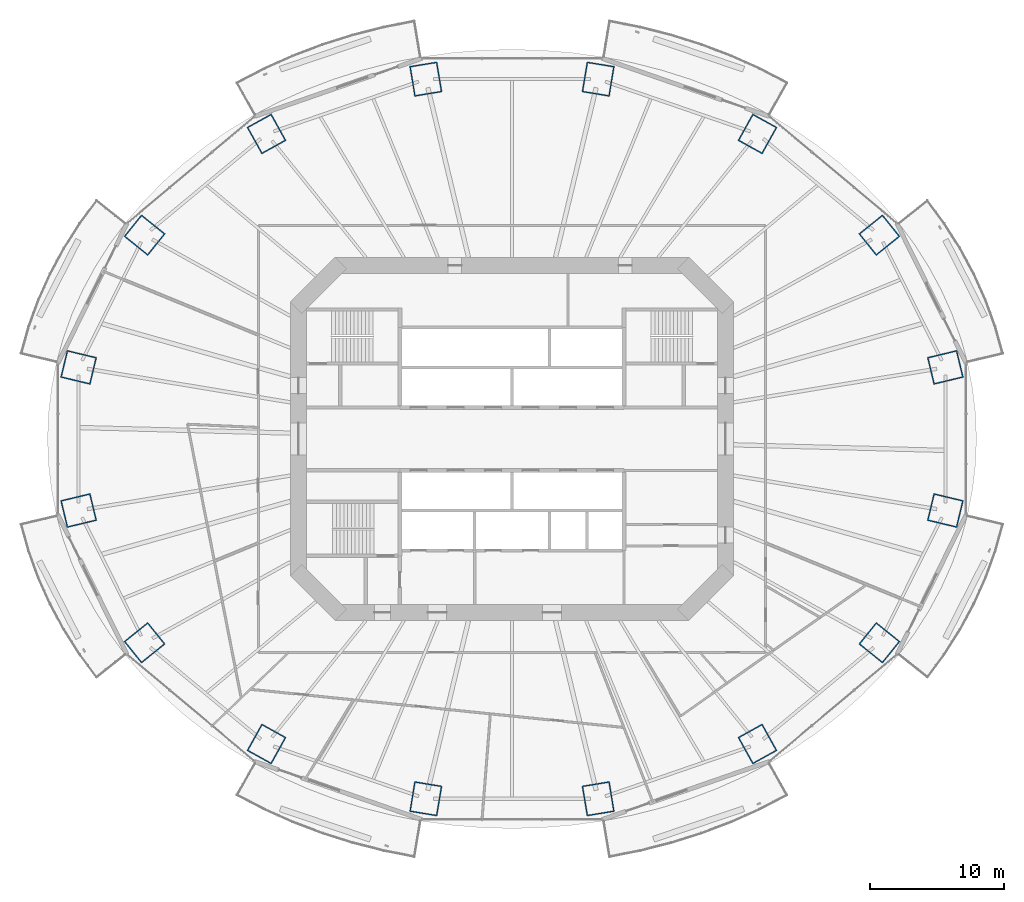
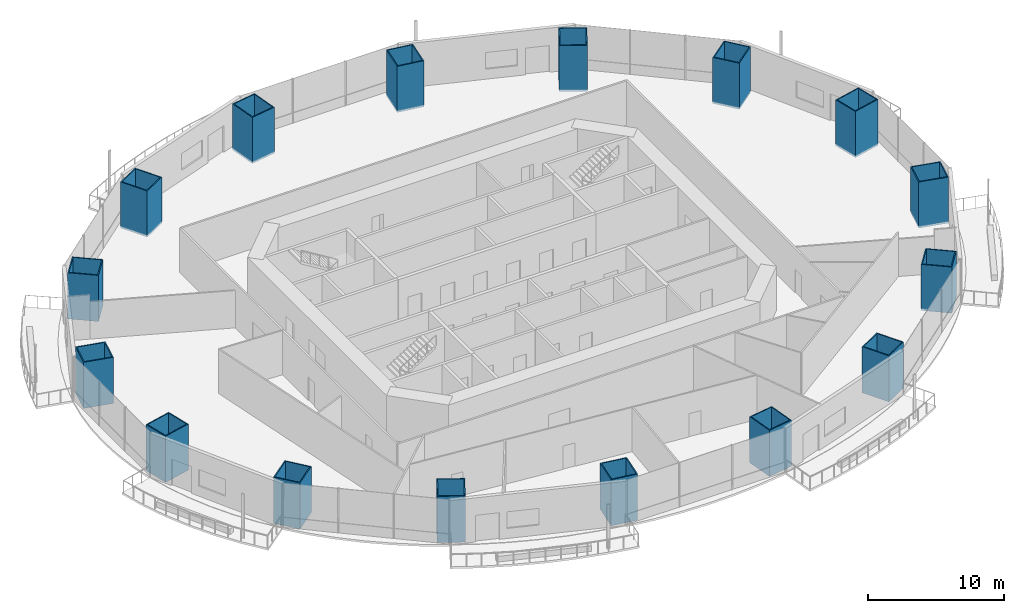
# One storey, part 1 of 22: 16 columns.
"""IFC4 building model written with IfcOpenShell, lengths in metres."""

from ifc_helpers import new_model, si_unit, direction, frame, origin, origin_2d, place, context, subcontext, project, spatial, rectangle, hollow_rectangle, extrude, material, material_profile, profile_set, type_object, element, save


model = new_model("IFC4")

# Units and contexts
model_context = context("Model", 3, precision=1e-05, world=origin(), true_north=direction((0.0, 1.0)))
body_context = subcontext(model_context, "Body", "Model", "MODEL_VIEW")
ifc_project = project(units=[si_unit("LENGTHUNIT", "METRE"), si_unit("AREAUNIT", "SQUARE_METRE"), si_unit("VOLUMEUNIT", "CUBIC_METRE"), si_unit("PLANEANGLEUNIT", "RADIAN"), si_unit("MASSUNIT", "GRAM", prefix="KILO")], contexts=[model_context])

# Site, building, storey
site_placement = place(None, origin())
site = spatial("IfcSite", under=ifc_project, at=site_placement, CompositionType="ELEMENT")
building_placement = place(site_placement, origin())
building = spatial("IfcBuilding", under=site, at=building_placement, Name="Marenthal Gate Tower", CompositionType="ELEMENT")
storey_placement = place(building_placement, frame((0.0, 0.0, 95.25)))
storey = spatial("IfcBuildingStorey", under=building, at=storey_placement, Name="L19", CompositionType="ELEMENT", Elevation=95.25)

# Columns
ifc_material_1 = material(Name="Steel S460", Category="steel")
ifc_material_profile_1 = material_profile(ifc_material_1, hollow_rectangle(XDim=2.10009765625, YDim=2.300048828125, WallThickness=0.0849609375, at=origin_2d()), Name="CFT BOX 2300X2100X85")
ifc_material_2 = material(Name="Concrete 70 MPa", Category="concrete")
ifc_material_profile_2 = material_profile(ifc_material_2, rectangle(XDim=1.929931640625, YDim=2.1298828125, at=origin_2d()), Name="CFT BOX 2300X2100X85 INFILL")
ifc_profile_set = profile_set([ifc_material_profile_1, ifc_material_profile_2], Name="Steel S460 shell, Concrete 70 MPa infill")
column_type = type_object("IfcColumnType", Name="CFT BOX 2300X2100X85", PredefinedType="COLUMN", material=ifc_profile_set)
for number, where, z_axis, x_axis, name in (
    (1, (32.4521484375, 5.359619140625, -0.179931640625), (0.0, 0.0, 1.0), (0.23297354102, -0.972483073984, 0.0), "COL-L19-01"),
    (2, (27.51171875, 15.26318359375, -0.179931640625), (0.0, 0.0, 1.0), (0.626945161765, -0.779063389038, 0.0), "COL-L19-02"),
    (3, (18.3828125, 22.843017578125, -0.179931640625), (0.0, 0.0, 1.0), (0.87444195639, -0.485130152541, 0.0), "COL-L19-03"),
    (4, (6.455078125, 26.945068359375, -0.179931640625), (0.0, 0.0, 1.0), (0.986634517147, -0.162948855698, 0.0), "COL-L19-04"),
    (5, (-6.455078125, 26.945068359375, -0.179931640625), (0.0, 0.0, 1.0), (0.986634517147, 0.162948855698, 0.0), "COL-L19-05"),
    (6, (-18.3828125, 22.843017578125, -0.179931640625), (0.0, 0.0, 1.0), (0.87444195639, 0.485130152541, 0.0), "COL-L19-06"),
    (7, (-27.51171875, 15.26318359375, -0.179931640625), (0.0, 0.0, 1.0), (0.626945161765, 0.779063389038, 0.0), "COL-L19-07"),
    (8, (-32.4521484375, 5.359619140625, -0.179931640625), (0.0, 0.0, 1.0), (0.23297354102, 0.972483073984, 0.0), "COL-L19-08"),
    (9, (-32.4521484375, -5.359619140625, -0.179931640625), (0.0, 0.0, 1.0), (-0.23297354102, 0.972483073984, 0.0), "COL-L19-09"),
    (10, (-27.51171875, -15.26318359375, -0.179931640625), (0.0, 0.0, 1.0), (-0.626945161765, 0.779063389038, 0.0), "COL-L19-10"),
    (11, (-18.3828125, -22.843017578125, -0.179931640625), (0.0, 0.0, 1.0), (-0.87444195639, 0.485130152541, 0.0), "COL-L19-11"),
    (12, (-6.455078125, -26.945068359375, -0.179931640625), (0.0, 0.0, 1.0), (-0.986634517147, 0.162948855698, 0.0), "COL-L19-12"),
    (13, (6.455078125, -26.945068359375, -0.179931640625), (0.0, 0.0, 1.0), (-0.986634517147, -0.162948855698, 0.0), "COL-L19-13"),
    (14, (18.3828125, -22.843017578125, -0.179931640625), (0.0, 0.0, 1.0), (-0.87444195639, -0.485130152541, 0.0), "COL-L19-14"),
    (15, (27.51171875, -15.26318359375, -0.179931640625), (0.0, 0.0, 1.0), (-0.626945161765, -0.779063389038, 0.0), "COL-L19-15"),
    (16, (32.4521484375, -5.359619140625, -0.179931640625), (0.0, 0.0, 1.0), (-0.23297354102, -0.972483073984, 0.0), "COL-L19-16"),
):
    element("IfcColumn", number, at=place(storey_placement, frame(where, z_axis=z_axis, x_axis=x_axis)), inside=storey, type_object=column_type, Name=name, PredefinedType="COLUMN", context=body_context, shape_type="SweptSolid", body=[
        extrude(hollow_rectangle(XDim=2.10009765625, YDim=2.300048828125, WallThickness=0.0849609375, at=origin_2d()), origin(), (0.0, 0.0, 1.0), 4.14990234375),
    ])

save(model, "model.ifc")
